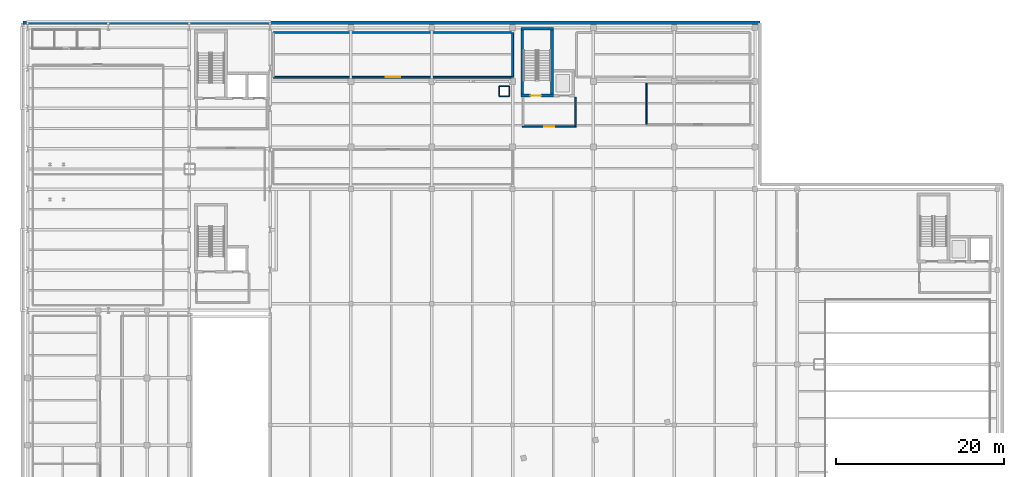
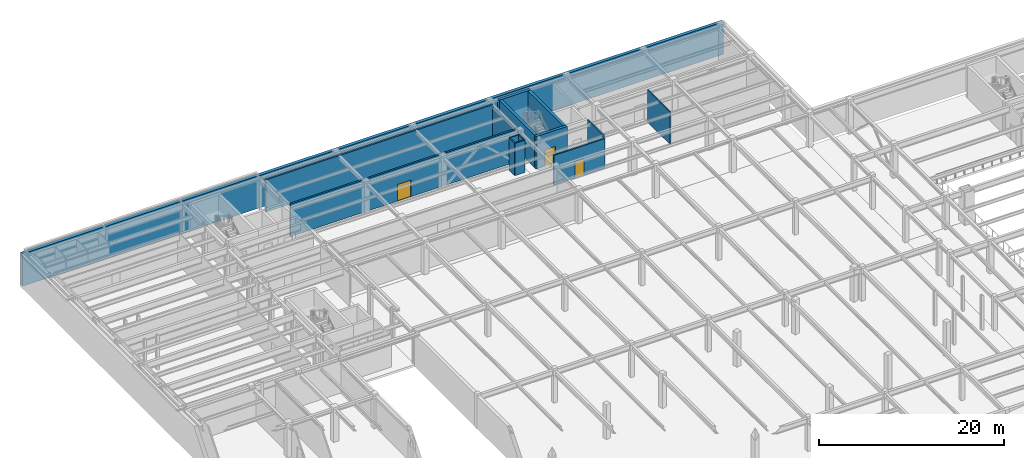
# One storey, part 23 of 32: 15 walls, 3 doors, 3 openings.
"""IFC4 building model written with IfcOpenShell, lengths in metres."""

from ifc_helpers import new_model, si_unit, direction, frame, frame_2d, origin, place, context, subcontext, project, spatial, rectangle, extrude, material, layer, layer_set, type_object, element, fill, save


model = new_model("IFC4")

# Units and contexts
model_context = context("Model", 3, precision=1e-05, world=origin(), true_north=direction((0.0, 1.0)))
body_context = subcontext(model_context, "Body", "Model", "MODEL_VIEW")
ifc_project = project(units=[si_unit("LENGTHUNIT", "METRE"), si_unit("AREAUNIT", "SQUARE_METRE"), si_unit("VOLUMEUNIT", "CUBIC_METRE"), si_unit("PLANEANGLEUNIT", "RADIAN"), si_unit("MASSUNIT", "GRAM", prefix="KILO")], contexts=[model_context])

# Site, building, storey
site_placement = place(None, origin())
site = spatial("IfcSite", under=ifc_project, at=site_placement, CompositionType="ELEMENT")
building_placement = place(site_placement, origin())
building = spatial("IfcBuilding", under=site, at=building_placement, Name="Nordkorset Police Headquarters", CompositionType="ELEMENT")
storey_placement = place(building_placement, frame((0.0, 0.0, -4.550048828125)))
storey = spatial("IfcBuildingStorey", under=building, at=storey_placement, Name="B01", CompositionType="ELEMENT", Elevation=-4.550048828125)

# Wall, opening, door
ifc_material_1 = material(Name="Gypsum board", Category="gypsum")
ifc_layer_1 = layer(ifc_material_1, 0.179931640625, Name="Gypsum board")
ifc_layer_set_1 = layer_set([ifc_layer_1], Name="Gypsum board")
wall_type_1 = type_object("IfcWallType", Name="Wall_Comp_180", PredefinedType="PARTITIONING", material=ifc_layer_set_1)
wall_1_placement = place(storey_placement, frame((58.75, 105.06005859375, 0.0), z_axis=(0.0, 0.0, 1.0), x_axis=(1.0, 0.0, 0.0)))
wall_1 = element("IfcWall", 1, at=wall_1_placement, inside=storey, type_object=wall_type_1, Name="Firefighting Lobby EI 60 Wall K2 B01 S", PredefinedType="PARTITIONING", context=body_context, shape_type="SweptSolid", body=[
    extrude(rectangle(XDim=6.39990234375, YDim=0.179931640625, at=frame_2d((3.199951171875, 0.0))), origin(), (0.0, 0.0, 1.0), 3.900146484375),
])
opening_1_placement = place(wall_1_placement, frame((2.625, 0.0, 0.0)))
opening_1 = element("IfcOpeningElement", 2, at=opening_1_placement, cuts=wall_1, Name="Opening DR-01", PredefinedType="OPENING", context=body_context, shape_type="SweptSolid", body=[
    extrude(rectangle(XDim=1.14990234375, YDim=2.14990234375, at=frame_2d((0.574951171875, 1.074951171875))), frame((0.0, 0.10009765625, 0.0), z_axis=(0.0, -1.0, 0.0), x_axis=(1.0, 0.0, 0.0)), (0.0, 0.0, 1.0), 0.199951171875),
])
ifc_material_2 = material(Name="Steel S355J2", Category="steel")
door_type_1 = type_object("IfcDoorType", Name="Door_LobbySingle_1150x2150", OperationType="NOTDEFINED", PredefinedType="DOOR", material=ifc_material_2)
door_1_placement = place(opening_1_placement, frame((1.14990234375, 0.0, 0.0), z_axis=(0.0, 0.0, 1.0), x_axis=(-1.0, 0.0, 0.0)))
door_1 = element("IfcDoor", 3, at=door_1_placement, inside=storey, type_object=door_type_1, Name="Firefighting Lobby Smoke Door K2 B01 S", OperationType="SINGLE_SWING_RIGHT", OverallHeight=2.14990234375, OverallWidth=1.14990234375, PredefinedType="DOOR", context=body_context, shape_type="SweptSolid", body=[
    extrude(rectangle(XDim=1.14990234375, YDim=2.14990234375, at=frame_2d((0.574951171875, 1.074951171875))), frame((0.0, 0.02490234375, 0.0), z_axis=(0.0, -1.0, 0.0), x_axis=(1.0, 0.0, 0.0)), (0.0, 0.0, 1.0), 0.050048828125),
])
fill(opening_1, door_1)

# Wall
wall_2_placement = place(storey_placement, frame((65.06005859375, 105.14990234375, 0.0), z_axis=(0.0, 0.0, 1.0), x_axis=(0.0, 1.0, 0.0)))
element("IfcWall", 4, at=wall_2_placement, inside=storey, type_object=wall_type_1, Name="Firefighting Lobby EI 60 Wall K2 B01 E", PredefinedType="PARTITIONING", context=body_context, shape_type="SweptSolid", body=[
    extrude(rectangle(XDim=3.375, YDim=0.179931640625, at=frame_2d((1.6875, 0.0))), origin(), (0.0, 0.0, 1.0), 4.280029296875),
])

# Wall, opening, door
ifc_material_3 = material(Name="Gypsum board", Category="gypsum")
ifc_layer_2 = layer(ifc_material_3, 0.219970703125, Name="Gypsum board")
ifc_layer_set_2 = layer_set([ifc_layer_2], Name="Gypsum board")
wall_type_2 = type_object("IfcWallType", Name="Wall_Comp_220", PredefinedType="PARTITIONING", material=ifc_layer_set_2)
wall_3_placement = place(storey_placement, frame((29.199951171875, 110.89990234375, 0.0), z_axis=(0.0, 0.0, 1.0), x_axis=(1.0, 0.0, 0.0)))
wall_3 = element("IfcWall", 5, at=wall_3_placement, inside=storey, type_object=wall_type_2, Name="Interior Partition Wall Uninterruptible Power Supply Battery Room", PredefinedType="PARTITIONING", context=body_context, shape_type="SweptSolid", body=[
    extrude(rectangle(XDim=28.400146484375, YDim=0.219970703125, at=frame_2d((14.2001953125, 0.0))), origin(), (0.0, 0.0, 1.0), 4.280029296875),
])
opening_2_placement = place(wall_3_placement, frame((13.360107421875, 0.0, 0.0)))
opening_2 = element("IfcOpeningElement", 6, at=opening_2_placement, cuts=wall_3, Name="Opening DR-15", PredefinedType="OPENING", context=body_context, shape_type="SweptSolid", body=[
    extrude(rectangle(XDim=1.679931640625, YDim=2.199951171875, at=frame_2d((0.83984375, 1.10009765625))), frame((0.0, 0.1201171875, 0.0), z_axis=(0.0, -1.0, 0.0), x_axis=(1.0, 0.0, 0.0)), (0.0, 0.0, 1.0), 0.239990234375),
])
ifc_material_4 = material(Name="Steel S355J2", Category="steel")
door_type_2 = type_object("IfcDoorType", Name="Door_PlantDouble_1680x2200", OperationType="DOUBLE_DOOR_SINGLE_SWING", PredefinedType="DOOR", material=ifc_material_4)
door_2_placement = place(opening_2_placement, frame((1.679931640625, 0.0, 0.0), z_axis=(0.0, 0.0, 1.0), x_axis=(-1.0, 0.0, 0.0)))
door_2 = element("IfcDoor", 7, at=door_2_placement, inside=storey, type_object=door_type_2, Name="Interior Door Uninterruptible Power Supply Battery Room", OperationType="DOUBLE_DOOR_SINGLE_SWING", OverallHeight=2.199951171875, OverallWidth=1.679931640625, PredefinedType="DOOR", context=body_context, shape_type="SweptSolid", body=[
    extrude(rectangle(XDim=1.679931640625, YDim=2.199951171875, at=frame_2d((0.83984375, 1.10009765625))), frame((0.0, 0.02490234375, 0.0), z_axis=(0.0, -1.0, 0.0), x_axis=(1.0, 0.0, 0.0)), (0.0, 0.0, 1.0), 0.050048828125),
])
fill(opening_2, door_2)

# Walls
wall_4_placement = place(storey_placement, frame((57.60009765625, 110.89990234375, 0.0), z_axis=(0.0, 0.0, 1.0), x_axis=(0.0, 1.0, 0.0)))
element("IfcWall", 8, at=wall_4_placement, inside=storey, type_object=wall_type_2, Name="Interior Partition Wall Uninterruptible Power Supply Battery Room", PredefinedType="PARTITIONING", context=body_context, shape_type="SweptSolid", body=[
    extrude(rectangle(XDim=5.300048828125, YDim=0.219970703125, at=frame_2d((2.64990234375, 0.0))), origin(), (0.0, 0.0, 1.0), 3.820068359375),
])
wall_5_placement = place(storey_placement, frame((57.60009765625, 116.199951171875, 0.0), z_axis=(0.0, 0.0, 1.0), x_axis=(-1.0, 0.0, 0.0)))
element("IfcWall", 9, at=wall_5_placement, inside=storey, type_object=wall_type_2, Name="Interior Partition Wall Uninterruptible Power Supply Battery Room", PredefinedType="PARTITIONING", context=body_context, shape_type="SweptSolid", body=[
    extrude(rectangle(XDim=28.400146484375, YDim=0.219970703125, at=frame_2d((14.2001953125, 0.0))), origin(), (0.0, 0.0, 1.0), 4.280029296875),
])

# Wall, opening, door
ifc_material_5 = material(Name="Concrete C35/45", Category="concrete")
ifc_layer_3 = layer(ifc_material_5, 0.35009765625, Name="Concrete C35/45")
ifc_layer_set_3 = layer_set([ifc_layer_3], Name="Concrete C35/45")
wall_type_3 = type_object("IfcWallType", Name="Wall_CoreShear_350", PredefinedType="SHEAR", material=ifc_layer_set_3)
wall_6_placement = place(storey_placement, frame((58.574951171875, 108.699951171875, 0.0), z_axis=(0.0, 0.0, 1.0), x_axis=(1.0, 0.0, 0.0)))
wall_6 = element("IfcWall", 10, at=wall_6_placement, inside=storey, type_object=wall_type_3, Name="Core K2 Stair Shaft South Shear Wall B01", PredefinedType="SHEAR", context=body_context, shape_type="SweptSolid", body=[
    extrude(rectangle(XDim=3.900146484375, YDim=0.35009765625, at=frame_2d((1.9501953125, 0.0))), origin(), (0.0, 0.0, 1.0), 4.280029296875),
])
opening_3_placement = place(wall_6_placement, frame((1.125, 0.0, 0.0)))
opening_3 = element("IfcOpeningElement", 11, at=opening_3_placement, cuts=wall_6, Name="Opening DR-20", PredefinedType="OPENING", context=body_context, shape_type="SweptSolid", body=[
    extrude(rectangle(XDim=1.300048828125, YDim=2.14990234375, at=frame_2d((0.64990234375, 1.074951171875))), frame((0.0, 0.18505859375, 0.0), z_axis=(0.0, -1.0, 0.0), x_axis=(1.0, 0.0, 0.0)), (0.0, 0.0, 1.0), 0.3701171875),
])
ifc_material_6 = material(Name="Steel S355J2", Category="steel")
door_type_3 = type_object("IfcDoorType", Name="Door_Stair_1300x2150", OperationType="NOTDEFINED", PredefinedType="DOOR", material=ifc_material_6)
door_3_placement = place(opening_3_placement, frame((1.300048828125, 0.0, 0.0), z_axis=(0.0, 0.0, 1.0), x_axis=(-1.0, 0.0, 0.0)))
door_3 = element("IfcDoor", 12, at=door_3_placement, inside=storey, type_object=door_type_3, Name="Protected Stair Fire Door ST-02 B01", OperationType="SINGLE_SWING_LEFT", OverallHeight=2.14990234375, OverallWidth=1.300048828125, PredefinedType="DOOR", context=body_context, shape_type="SweptSolid", body=[
    extrude(rectangle(XDim=1.300048828125, YDim=2.14990234375, at=frame_2d((0.64990234375, 1.074951171875))), frame((0.0, 0.02490234375, 0.0), z_axis=(0.0, -1.0, 0.0), x_axis=(1.0, 0.0, 0.0)), (0.0, 0.0, 1.0), 0.050048828125),
])
fill(opening_3, door_3)

# Walls
wall_7_placement = place(storey_placement, frame((58.574951171875, 116.64990234375, 0.0), z_axis=(0.0, 0.0, 1.0), x_axis=(1.0, 0.0, 0.0)))
element("IfcWall", 13, at=wall_7_placement, inside=storey, type_object=wall_type_3, Name="Core K2 Stair Shaft North Shear Wall B01", PredefinedType="SHEAR", context=body_context, shape_type="SweptSolid", body=[
    extrude(rectangle(XDim=3.900146484375, YDim=0.35009765625, at=frame_2d((1.9501953125, 0.0))), origin(), (0.0, 0.0, 1.0), 4.280029296875),
])
for number, where, z_axis, x_axis, name in (
    (14, (58.75, 108.875, 0.0), (0.0, 0.0, 1.0), (0.0, 1.0, 0.0), "Core K2 Stair Shaft West Shear Wall B01"),
    (15, (62.300048828125, 108.875, 0.0), (0.0, 0.0, 1.0), (0.0, 1.0, 0.0), "Core K2 Stair Shaft East Shear Wall B01"),
):
    element("IfcWall", number, at=place(storey_placement, frame(where, z_axis=z_axis, x_axis=x_axis)), inside=storey, type_object=wall_type_3, Name=name, PredefinedType="SHEAR", context=body_context, shape_type="SweptSolid", body=[
        extrude(rectangle(XDim=7.60009765625, YDim=0.35009765625, at=frame_2d((3.800048828125, 0.0))), origin(), (0.0, 0.0, 1.0), 4.280029296875),
    ])
ifc_material_7 = material(Name="Gypsum board", Category="gypsum")
ifc_layer_4 = layer(ifc_material_7, 0.1201171875, Name="Gypsum board")
ifc_layer_set_4 = layer_set([ifc_layer_4], Name="Gypsum board")
wall_type_4 = type_object("IfcWallType", Name="Wall_Part_120", PredefinedType="PARTITIONING", material=ifc_layer_set_4)
wall_8_placement = place(storey_placement, frame((73.5, 110.199951171875, 0.0), z_axis=(0.0, 0.0, 1.0), x_axis=(0.0, -1.0, 0.0)))
element("IfcWall", 16, at=wall_8_placement, inside=storey, type_object=wall_type_4, Name="Interior Partition Wall Staff Secure Cycle Store and Drying Room", PredefinedType="PARTITIONING", context=body_context, shape_type="SweptSolid", body=[
    extrude(rectangle(XDim=4.89990234375, YDim=0.1201171875, at=frame_2d((2.449951171875, 0.0))), origin(), (0.0, 0.0, 1.0), 4.280029296875),
])
ifc_material_8 = material(Name="Concrete C40/50", Category="concrete")
ifc_layer_5 = layer(ifc_material_8, 0.39990234375, Name="Concrete C40/50")
ifc_layer_set_5 = layer_set([ifc_layer_5], Name="Concrete C40/50")
wall_type_5 = type_object("IfcWallType", Name="Wall_Retaining_400", PredefinedType="USERDEFINED", material=ifc_layer_set_5)
wall_9_placement = place(storey_placement, frame((-0.550048828125, 117.35009765625, 0.0), z_axis=(0.0, 0.0, 1.0), x_axis=(1.0, 0.0, 0.0)))
element("IfcWall", 17, at=wall_9_placement, inside=storey, type_object=wall_type_5, Name="Basement Perimeter Retaining Wall B01 W-N1", ObjectType="RETAINING WALL", PredefinedType="USERDEFINED", context=body_context, shape_type="SweptSolid", body=[
    extrude(rectangle(XDim=87.5, YDim=0.39990234375, at=frame_2d((43.75, 0.0))), origin(), (0.0, 0.0, 1.0), 4.280029296875),
])
ifc_material_9 = material(Name="Gypsum board", Category="gypsum")
ifc_layer_6 = layer(ifc_material_9, 0.125, Name="Gypsum board")
ifc_layer_set_6 = layer_set([ifc_layer_6], Name="Gypsum board")
wall_type_6 = type_object("IfcWallType", Name="Wall_Riser_125", PredefinedType="PARTITIONING", material=ifc_layer_set_6)
wall_10_placement = place(storey_placement, frame((56.0, 108.64990234375, 0.0), z_axis=(0.0, 0.0, 1.0), x_axis=(1.0, 0.0, 0.0)))
element("IfcWall", 18, at=wall_10_placement, inside=storey, type_object=wall_type_6, Name="Service Riser Enclosure RSR-V2 B01", PredefinedType="PARTITIONING", context=body_context, shape_type="SweptSolid", body=[
    extrude(rectangle(XDim=1.199951171875, YDim=0.125, at=frame_2d((0.60009765625, 0.0))), origin(), (0.0, 0.0, 1.0), 4.280029296875),
])
wall_11_placement = place(storey_placement, frame((57.199951171875, 108.64990234375, 0.0), z_axis=(0.0, 0.0, 1.0), x_axis=(0.0, 1.0, 0.0)))
element("IfcWall", 19, at=wall_11_placement, inside=storey, type_object=wall_type_6, Name="Service Riser Enclosure RSR-V2 B01", PredefinedType="PARTITIONING", context=body_context, shape_type="SweptSolid", body=[
    extrude(rectangle(XDim=1.2001953125, YDim=0.125, at=frame_2d((0.60009765625, 0.0))), origin(), (0.0, 0.0, 1.0), 4.280029296875),
])
wall_12_placement = place(storey_placement, frame((57.199951171875, 109.85009765625, 0.0), z_axis=(0.0, 0.0, 1.0), x_axis=(-1.0, 0.0, 0.0)))
element("IfcWall", 20, at=wall_12_placement, inside=storey, type_object=wall_type_6, Name="Service Riser Enclosure RSR-V2 B01", PredefinedType="PARTITIONING", context=body_context, shape_type="SweptSolid", body=[
    extrude(rectangle(XDim=1.199951171875, YDim=0.125, at=frame_2d((0.60009765625, 0.0))), origin(), (0.0, 0.0, 1.0), 4.280029296875),
])
wall_13_placement = place(storey_placement, frame((56.0, 109.85009765625, 0.0), z_axis=(0.0, 0.0, 1.0), x_axis=(0.0, -1.0, 0.0)))
element("IfcWall", 21, at=wall_13_placement, inside=storey, type_object=wall_type_6, Name="Service Riser Enclosure RSR-V2 B01", PredefinedType="PARTITIONING", context=body_context, shape_type="SweptSolid", body=[
    extrude(rectangle(XDim=1.2001953125, YDim=0.125, at=frame_2d((0.60009765625, 0.0))), origin(), (0.0, 0.0, 1.0), 4.280029296875),
])

save(model, "model.ifc")
